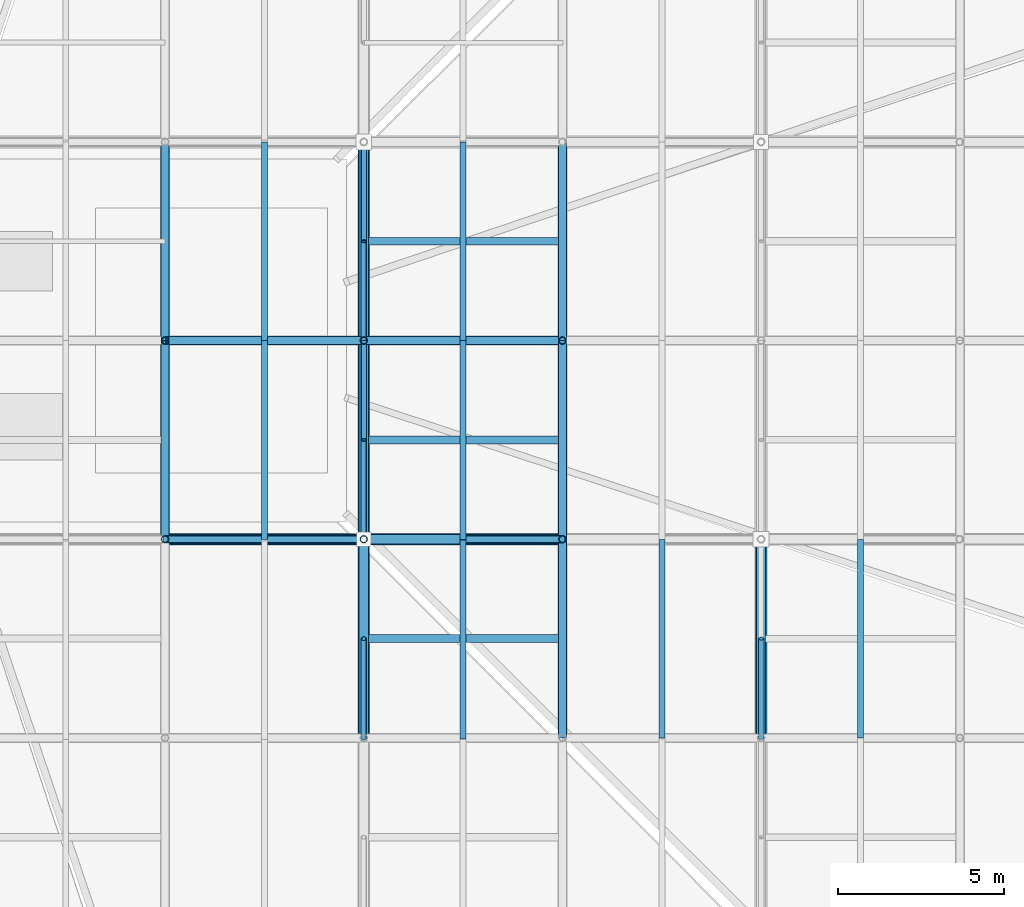
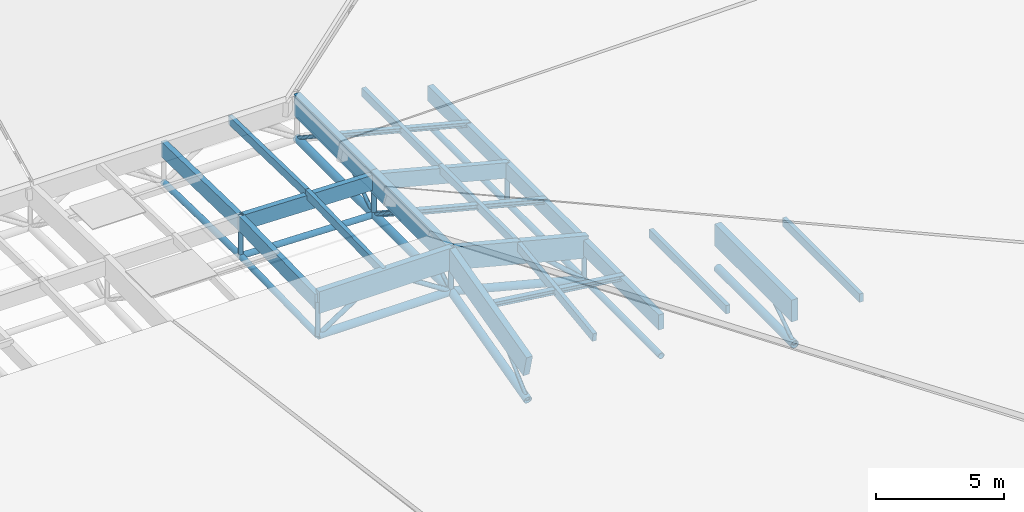
# One storey, part 36 of 80: 51 members.
"""IFC4 building model written with IfcOpenShell, lengths in metres."""

from ifc_helpers import new_model, si_unit, direction, frame, origin, origin_2d, place, context, subcontext, project, spatial, rectangle, hollow_circle, i_section, extrude, material, material_profile, profile_set, type_object, element, save


model = new_model("IFC4")

# Units and contexts
model_context = context("Model", 3, precision=1e-05, world=origin(), true_north=direction((0.0, 1.0)))
body_context = subcontext(model_context, "Body", "Model", "MODEL_VIEW")
ifc_project = project(units=[si_unit("LENGTHUNIT", "METRE"), si_unit("AREAUNIT", "SQUARE_METRE"), si_unit("VOLUMEUNIT", "CUBIC_METRE"), si_unit("PLANEANGLEUNIT", "RADIAN"), si_unit("MASSUNIT", "GRAM", prefix="KILO"), si_unit("THERMODYNAMICTEMPERATUREUNIT", "KELVIN"), si_unit("POWERUNIT", "WATT")], contexts=[model_context])

# Site, building, storey
site_placement = place(None, origin())
site = spatial("IfcSite", under=ifc_project, at=site_placement, CompositionType="ELEMENT")
building_placement = place(site_placement, origin())
building = spatial("IfcBuilding", under=site, at=building_placement, Name="Solmara Park Aquatics Centre", CompositionType="ELEMENT")
storey_placement = place(building_placement, frame((0.0, 0.0, 22.800048828125)))
storey = spatial("IfcBuildingStorey", under=building, at=storey_placement, Name="RF", CompositionType="ELEMENT", Elevation=22.800048828125)

# Members
ifc_material_1 = material(Name="Structural Steel S355", Category="steel")
ifc_material_profile_1 = material_profile(ifc_material_1, hollow_circle(Radius=0.084228515625, WallThickness=0.008056640625, at=origin_2d()), Name="CHS 168.3x8")
ifc_profile_set_1 = profile_set([ifc_material_profile_1], Name="Structural Steel S355")
member_type_1 = type_object("IfcMemberType", Name="STR-BRC-CHS168", PredefinedType="BRACE", material=ifc_profile_set_1)
member_1_placement = place(storey_placement, frame((72.60009765625, 30.60009765625, -6.486328125), z_axis=(0.0, 0.736437262703, 0.67650584484), x_axis=(-1.0, 0.0, 0.0)))
element("IfcMember", 1, at=member_1_placement, inside=storey, type_object=member_type_1, Name="Roof Truss Web Diagonal Y 1970", PredefinedType="BRACE", context=body_context, shape_type="SweptSolid", body=[
    extrude(hollow_circle(Radius=0.084228515625, WallThickness=0.008056640625, at=origin_2d()), origin(), (0.0, 0.0, 1.0), 4.07373046875),
])
for number, where, z_axis, x_axis, name in (
    (2, (84.60009765625, 30.60009765625, -8.0380859375), (0.0, 0.834611904619, 0.550838423377), (-1.0, 0.0, 0.0), "Roof Truss Web Diagonal Y 1971"),
    (3, (72.60009765625, 36.60009765625, -4.9345703125), (0.0, 0.834611904619, 0.550838423377), (-1.0, 0.0, 0.0), "Roof Truss Web Diagonal Y 1998"),
    (4, (72.60009765625, 42.60009765625, -4.9345703125), (0.0, -0.834611904619, 0.550838423377), (1.0, 0.0, 0.0), "Roof Truss Web Diagonal Y 1999"),
    (5, (72.60009765625, 42.60009765625, -4.9345703125), (0.0, 0.834611904619, 0.550838423377), (-1.0, 0.0, 0.0), "Roof Truss Web Diagonal Y 2027"),
    (6, (72.60009765625, 48.60009765625, -4.9345703125), (0.0, -0.834611904619, 0.550838423377), (1.0, 0.0, 0.0), "Roof Truss Web Diagonal Y 2028"),
):
    element("IfcMember", number, at=place(storey_placement, frame(where, z_axis=z_axis, x_axis=x_axis)), inside=storey, type_object=member_type_1, Name=name, PredefinedType="BRACE", context=body_context, shape_type="SweptSolid", body=[
        extrude(hollow_circle(Radius=0.084228515625, WallThickness=0.008056640625, at=origin_2d()), origin(), (0.0, 0.0, 1.0), 3.594482421875),
    ])
ifc_material_profile_2 = material_profile(ifc_material_1, hollow_circle(Radius=0.109619140625, WallThickness=0.010009765625, at=origin_2d()), Name="CHS 219.1x10")
ifc_profile_set_2 = profile_set([ifc_material_profile_2], Name="Structural Steel S355")
member_type_2 = type_object("IfcMemberType", Name="STR-BRC-CHS219", PredefinedType="BRACE", material=ifc_profile_set_2)
for number, where, z_axis, x_axis, name in (
    (7, (66.60009765625, 36.60009765625, -4.9345703125), (0.83972779743, 0.0, 0.543007574738), (0.0, 1.0, 0.0), "Roof Truss Web Diagonal X 1673"),
    (8, (72.60009765625, 36.60009765625, -4.9345703125), (-0.83972779743, 0.0, 0.543007574738), (0.0, -1.0, 0.0), "Roof Truss Web Diagonal X 1674"),
):
    element("IfcMember", number, at=place(storey_placement, frame(where, z_axis=z_axis, x_axis=x_axis)), inside=storey, type_object=member_type_2, Name=name, PredefinedType="BRACE", context=body_context, shape_type="SweptSolid", body=[
        extrude(hollow_circle(Radius=0.109619140625, WallThickness=0.010009765625, at=origin_2d()), origin(), (0.0, 0.0, 1.0), 3.572509765625),
    ])
member_2_placement = place(storey_placement, frame((78.60009765625, 36.60009765625, -6.486328125), z_axis=(-0.741347083846, 0.0, 0.671121822974), x_axis=(0.0, -1.0, 0.0)))
element("IfcMember", 9, at=member_2_placement, inside=storey, type_object=member_type_2, Name="Roof Truss Web Diagonal X 1703", PredefinedType="BRACE", context=body_context, shape_type="SweptSolid", body=[
    extrude(hollow_circle(Radius=0.109619140625, WallThickness=0.010009765625, at=origin_2d()), origin(), (0.0, 0.0, 1.0), 4.046630859375),
])
ifc_material_profile_3 = material_profile(ifc_material_1, hollow_circle(Radius=0.136474609375, WallThickness=0.012451171875, at=origin_2d()), Name="CHS 273x12.5")
ifc_profile_set_3 = profile_set([ifc_material_profile_3], Name="Structural Steel S355")
member_type_3 = type_object("IfcMemberType", Name="STR-CHD-CHS273", PredefinedType="CHORD", material=ifc_profile_set_3)
member_3_placement = place(storey_placement, frame((66.60009765625, 42.60009765625, -4.800048828125), z_axis=(0.999748760967, 0.0, -0.022414614555), x_axis=(0.0, 1.0, 0.0)))
element("IfcMember", 10, at=member_3_placement, inside=storey, type_object=member_type_3, Name="Steel Roof Truss Bottom Chord X 0276", PredefinedType="CHORD", context=body_context, shape_type="SweptSolid", body=[
    extrude(hollow_circle(Radius=0.136474609375, WallThickness=0.012451171875, at=origin_2d()), origin(), (0.0, 0.0, 1.0), 6.00146484375),
])
member_4_placement = place(storey_placement, frame((72.60009765625, 42.60009765625, -4.9345703125), z_axis=(0.968145594442, 0.0, -0.250387914969), x_axis=(0.0, 1.0, 0.0)))
element("IfcMember", 11, at=member_4_placement, inside=storey, type_object=member_type_3, Name="Steel Roof Truss Bottom Chord X 0278", PredefinedType="CHORD", context=body_context, shape_type="SweptSolid", body=[
    extrude(hollow_circle(Radius=0.136474609375, WallThickness=0.012451171875, at=origin_2d()), origin(), (0.0, 0.0, 1.0), 6.197509765625),
])
for number, where, z_axis, x_axis, name in (
    (12, (66.60009765625, 36.60009765625, -4.9345703125), (0.0, 0.999748760967, 0.022414614555), (-1.0, 0.0, 0.0), "Steel Roof Truss Bottom Chord Y 0862"),
    (13, (66.60009765625, 42.60009765625, -4.800048828125), (0.0, 0.999748760967, -0.022414614555), (-1.0, 0.0, 0.0), "Steel Roof Truss Bottom Chord Y 0864"),
):
    element("IfcMember", number, at=place(storey_placement, frame(where, z_axis=z_axis, x_axis=x_axis)), inside=storey, type_object=member_type_3, Name=name, PredefinedType="CHORD", context=body_context, shape_type="SweptSolid", body=[
        extrude(hollow_circle(Radius=0.136474609375, WallThickness=0.012451171875, at=origin_2d()), origin(), (0.0, 0.0, 1.0), 6.00146484375),
    ])
for number, where, z_axis, x_axis, name in (
    (14, (78.60009765625, 30.60009765625, -6.486328125), (0.0, 1.0, 0.0), (-1.0, 0.0, 0.0), "Steel Roof Truss Bottom Chord Y 0916"),
    (15, (78.60009765625, 36.60009765625, -6.486328125), (0.0, 1.0, 0.0), (-1.0, 0.0, 0.0), "Steel Roof Truss Bottom Chord Y 0918"),
    (16, (78.60009765625, 42.60009765625, -6.486328125), (0.0, 1.0, 0.0), (-1.0, 0.0, 0.0), "Steel Roof Truss Bottom Chord Y 0920"),
):
    element("IfcMember", number, at=place(storey_placement, frame(where, z_axis=z_axis, x_axis=x_axis)), inside=storey, type_object=member_type_3, Name=name, PredefinedType="CHORD", context=body_context, shape_type="SweptSolid", body=[
        extrude(hollow_circle(Radius=0.136474609375, WallThickness=0.012451171875, at=origin_2d()), origin(), (0.0, 0.0, 1.0), 6.0),
    ])
ifc_material_profile_4 = material_profile(ifc_material_1, hollow_circle(Radius=0.177734375, WallThickness=0.01611328125, at=origin_2d()), Name="CHS 355.6x16")
ifc_profile_set_4 = profile_set([ifc_material_profile_4], Name="Structural Steel S355")
member_type_4 = type_object("IfcMemberType", Name="STR-CHD-CHS355", PredefinedType="CHORD", material=ifc_profile_set_4)
member_5_placement = place(storey_placement, frame((66.60009765625, 36.60009765625, -4.9345703125), z_axis=(1.0, 0.0, 0.0), x_axis=(0.0, 1.0, 0.0)))
element("IfcMember", 17, at=member_5_placement, inside=storey, type_object=member_type_4, Name="Steel Roof Truss Bottom Chord X 0240", PredefinedType="CHORD", context=body_context, shape_type="SweptSolid", body=[
    extrude(hollow_circle(Radius=0.177734375, WallThickness=0.01611328125, at=origin_2d()), origin(), (0.0, 0.0, 1.0), 6.0),
])
for number, where, z_axis, x_axis, name in (
    (18, (72.60009765625, 36.60009765625, -4.9345703125), (0.968145594442, 0.0, -0.250387914969), (0.0, 1.0, 0.0), "Steel Roof Truss Bottom Chord X 0242"),
    (19, (72.60009765625, 30.60009765625, -6.486328125), (0.0, 0.968145594442, 0.250387914969), (-1.0, 0.0, 0.0), "Steel Roof Truss Bottom Chord Y 0888"),
):
    element("IfcMember", number, at=place(storey_placement, frame(where, z_axis=z_axis, x_axis=x_axis)), inside=storey, type_object=member_type_4, Name=name, PredefinedType="CHORD", context=body_context, shape_type="SweptSolid", body=[
        extrude(hollow_circle(Radius=0.177734375, WallThickness=0.01611328125, at=origin_2d()), origin(), (0.0, 0.0, 1.0), 6.197509765625),
    ])
for number, where, z_axis, x_axis, name in (
    (20, (72.60009765625, 36.60009765625, -4.9345703125), (0.0, 1.0, 0.0), (-1.0, 0.0, 0.0), "Steel Roof Truss Bottom Chord Y 0890"),
    (21, (72.60009765625, 42.60009765625, -4.9345703125), (0.0, 1.0, 0.0), (-1.0, 0.0, 0.0), "Steel Roof Truss Bottom Chord Y 0892"),
    (22, (84.60009765625, 30.60009765625, -8.0380859375), (0.0, 1.0, 0.0), (-1.0, 0.0, 0.0), "Steel Roof Truss Bottom Chord Y 0944"),
):
    element("IfcMember", number, at=place(storey_placement, frame(where, z_axis=z_axis, x_axis=x_axis)), inside=storey, type_object=member_type_4, Name=name, PredefinedType="CHORD", context=body_context, shape_type="SweptSolid", body=[
        extrude(hollow_circle(Radius=0.177734375, WallThickness=0.01611328125, at=origin_2d()), origin(), (0.0, 0.0, 1.0), 6.0),
    ])
ifc_material_2 = material(Name="Glulam Timber GL28h", Category="wood")
ifc_material_profile_5 = material_profile(ifc_material_2, rectangle(XDim=0.239990234375, YDim=0.719970703125, at=origin_2d()), Name="GL28h 240x720")
ifc_profile_set_5 = profile_set([ifc_material_profile_5], Name="Glulam Timber GL28h")
member_type_5 = type_object("IfcMemberType", Name="STR-CHD-GL240x720", PredefinedType="CHORD", material=ifc_profile_set_5)
member_6_placement = place(storey_placement, frame((66.60009765625, 42.60009765625, -3.179931640625), z_axis=(0.999747848546, 0.0, -0.022455273942), x_axis=(0.0, 1.0, 0.0)))
element("IfcMember", 23, at=member_6_placement, inside=storey, type_object=member_type_5, Name="Glulam Roof Truss Top Chord X 0275", PredefinedType="CHORD", context=body_context, shape_type="SweptSolid", body=[
    extrude(rectangle(XDim=0.239990234375, YDim=0.719970703125, at=origin_2d()), origin(), (0.0, 0.0, 1.0), 6.00146484375),
])
member_7_placement = place(storey_placement, frame((72.60009765625, 42.60009765625, -3.314697265625), z_axis=(0.968145594442, 0.0, -0.250387914969), x_axis=(0.0, 1.0, 0.0)))
element("IfcMember", 24, at=member_7_placement, inside=storey, type_object=member_type_5, Name="Glulam Roof Truss Top Chord X 0277", PredefinedType="CHORD", context=body_context, shape_type="SweptSolid", body=[
    extrude(rectangle(XDim=0.239990234375, YDim=0.719970703125, at=origin_2d()), origin(), (0.0, 0.0, 1.0), 6.197509765625),
])
for number, where, z_axis, x_axis, name in (
    (25, (66.60009765625, 36.60009765625, -3.314697265625), (0.0, 0.999747848546, 0.022455273942), (-1.0, 0.0, 0.0), "Glulam Roof Truss Top Chord Y 0861"),
    (26, (66.60009765625, 42.60009765625, -3.179931640625), (0.0, 0.999747848546, -0.022455273942), (-1.0, 0.0, 0.0), "Glulam Roof Truss Top Chord Y 0863"),
):
    element("IfcMember", number, at=place(storey_placement, frame(where, z_axis=z_axis, x_axis=x_axis)), inside=storey, type_object=member_type_5, Name=name, PredefinedType="CHORD", context=body_context, shape_type="SweptSolid", body=[
        extrude(rectangle(XDim=0.239990234375, YDim=0.719970703125, at=origin_2d()), origin(), (0.0, 0.0, 1.0), 6.00146484375),
    ])
for number, where, z_axis, x_axis, name in (
    (27, (78.60009765625, 30.60009765625, -4.866455078125), (0.0, 1.0, 0.0), (-1.0, 0.0, 0.0), "Glulam Roof Truss Top Chord Y 0915"),
    (28, (78.60009765625, 36.60009765625, -4.866455078125), (0.0, 1.0, 0.0), (-1.0, 0.0, 0.0), "Glulam Roof Truss Top Chord Y 0917"),
    (29, (78.60009765625, 42.60009765625, -4.866455078125), (0.0, 1.0, 0.0), (-1.0, 0.0, 0.0), "Glulam Roof Truss Top Chord Y 0919"),
):
    element("IfcMember", number, at=place(storey_placement, frame(where, z_axis=z_axis, x_axis=x_axis)), inside=storey, type_object=member_type_5, Name=name, PredefinedType="CHORD", context=body_context, shape_type="SweptSolid", body=[
        extrude(rectangle(XDim=0.239990234375, YDim=0.719970703125, at=origin_2d()), origin(), (0.0, 0.0, 1.0), 6.0),
    ])
ifc_material_profile_6 = material_profile(ifc_material_2, rectangle(XDim=0.280029296875, YDim=1.0400390625, at=origin_2d()), Name="GL28h 280x1040")
ifc_profile_set_6 = profile_set([ifc_material_profile_6], Name="Glulam Timber GL28h")
member_type_6 = type_object("IfcMemberType", Name="STR-CHD-GL280x1040", PredefinedType="CHORD", material=ifc_profile_set_6)
member_8_placement = place(storey_placement, frame((66.60009765625, 36.60009765625, -3.314697265625), z_axis=(1.0, 0.0, 0.0), x_axis=(0.0, 1.0, 0.0)))
element("IfcMember", 30, at=member_8_placement, inside=storey, type_object=member_type_6, Name="Glulam Roof Truss Top Chord X 0239", PredefinedType="CHORD", context=body_context, shape_type="SweptSolid", body=[
    extrude(rectangle(XDim=0.280029296875, YDim=1.0400390625, at=origin_2d()), origin(), (0.0, 0.0, 1.0), 6.0),
])
for number, where, z_axis, x_axis, name in (
    (31, (72.60009765625, 36.60009765625, -3.314697265625), (0.968145594442, 0.0, -0.250387914969), (0.0, 1.0, 0.0), "Glulam Roof Truss Top Chord X 0241"),
    (32, (72.60009765625, 30.60009765625, -4.866455078125), (0.0, 0.968145594442, 0.250387914969), (-1.0, 0.0, 0.0), "Glulam Roof Truss Top Chord Y 0887"),
):
    element("IfcMember", number, at=place(storey_placement, frame(where, z_axis=z_axis, x_axis=x_axis)), inside=storey, type_object=member_type_6, Name=name, PredefinedType="CHORD", context=body_context, shape_type="SweptSolid", body=[
        extrude(rectangle(XDim=0.280029296875, YDim=1.0400390625, at=origin_2d()), origin(), (0.0, 0.0, 1.0), 6.197509765625),
    ])
for number, where, z_axis, x_axis, name in (
    (33, (72.60009765625, 36.60009765625, -3.314697265625), (0.0, 1.0, 0.0), (-1.0, 0.0, 0.0), "Glulam Roof Truss Top Chord Y 0889"),
    (34, (72.60009765625, 42.60009765625, -3.314697265625), (0.0, 1.0, 0.0), (-1.0, 0.0, 0.0), "Glulam Roof Truss Top Chord Y 0891"),
    (35, (84.60009765625, 30.60009765625, -6.41796875), (0.0, 1.0, 0.0), (-1.0, 0.0, 0.0), "Glulam Roof Truss Top Chord Y 0943"),
):
    element("IfcMember", number, at=place(storey_placement, frame(where, z_axis=z_axis, x_axis=x_axis)), inside=storey, type_object=member_type_6, Name=name, PredefinedType="CHORD", context=body_context, shape_type="SweptSolid", body=[
        extrude(rectangle(XDim=0.280029296875, YDim=1.0400390625, at=origin_2d()), origin(), (0.0, 0.0, 1.0), 6.0),
    ])
ifc_material_profile_7 = material_profile(ifc_material_2, rectangle(XDim=0.179931640625, YDim=0.39990234375, at=origin_2d()), Name="GL28h 180x400")
ifc_profile_set_7 = profile_set([ifc_material_profile_7], Name="Glulam Timber GL28h")
member_type_7 = type_object("IfcMemberType", Name="STR-PRL-GL180x400", PredefinedType="PURLIN", material=ifc_profile_set_7)
for number, where, z_axis, x_axis, name in (
    (36, (69.60009765625, 36.60009765625, -2.99462890625), (0.0, 0.999748760967, 0.022414614555), (-1.0, 0.0, 0.0), "Glulam Roof Purlin 1659"),
    (37, (69.60009765625, 42.60009765625, -2.860107421875), (0.0, 0.999748760967, -0.022414614555), (-1.0, 0.0, 0.0), "Glulam Roof Purlin 1660"),
):
    element("IfcMember", number, at=place(storey_placement, frame(where, z_axis=z_axis, x_axis=x_axis)), inside=storey, type_object=member_type_7, Name=name, PredefinedType="PURLIN", context=body_context, shape_type="SweptSolid", body=[
        extrude(rectangle(XDim=0.179931640625, YDim=0.39990234375, at=origin_2d()), origin(), (0.0, 0.0, 1.0), 6.00146484375),
    ])
member_9_placement = place(storey_placement, frame((75.60009765625, 30.60009765625, -4.54638671875), z_axis=(0.0, 0.991742472473, 0.128245344137), x_axis=(-1.0, 0.0, 0.0)))
element("IfcMember", 38, at=member_9_placement, inside=storey, type_object=member_type_7, Name="Glulam Roof Purlin 1688", PredefinedType="PURLIN", context=body_context, shape_type="SweptSolid", body=[
    extrude(rectangle(XDim=0.179931640625, YDim=0.39990234375, at=origin_2d()), origin(), (0.0, 0.0, 1.0), 6.050048828125),
])
for number, where, z_axis, x_axis, name in (
    (39, (75.60009765625, 36.60009765625, -3.7705078125), (0.0, 1.0, 0.0), (-1.0, 0.0, 0.0), "Glulam Roof Purlin 1689"),
    (40, (75.60009765625, 42.60009765625, -3.7705078125), (0.0, 1.0, 0.0), (-1.0, 0.0, 0.0), "Glulam Roof Purlin 1690"),
    (41, (81.60009765625, 30.60009765625, -5.322265625), (0.0, 1.0, 0.0), (-1.0, 0.0, 0.0), "Glulam Roof Purlin 1716"),
    (42, (87.60009765625, 30.60009765625, -6.8740234375), (0.0, 1.0, 0.0), (-1.0, 0.0, 0.0), "Glulam Roof Purlin 1744"),
):
    element("IfcMember", number, at=place(storey_placement, frame(where, z_axis=z_axis, x_axis=x_axis)), inside=storey, type_object=member_type_7, Name=name, PredefinedType="PURLIN", context=body_context, shape_type="SweptSolid", body=[
        extrude(rectangle(XDim=0.179931640625, YDim=0.39990234375, at=origin_2d()), origin(), (0.0, 0.0, 1.0), 6.0),
    ])
ifc_material_profile_8 = material_profile(ifc_material_1, i_section(OverallWidth=0.219970703125, OverallDepth=0.2099609375, WebThickness=0.007080078125, FlangeThickness=0.010986328125, FilletRadius=0.01806640625, at=origin_2d()), Name="HEA 220")
ifc_profile_set_8 = profile_set([ifc_material_profile_8], Name="Structural Steel S355")
member_type_8 = type_object("IfcMemberType", Name="STR-PRL-HEA220", PredefinedType="PURLIN", material=ifc_profile_set_8)
member_10_placement = place(storey_placement, frame((72.60009765625, 45.60009765625, -2.974609375), z_axis=(0.968145594442, 0.0, -0.250387914969), x_axis=(0.0, 1.0, 0.0)))
element("IfcMember", 43, at=member_10_placement, inside=storey, type_object=member_type_8, Name="Glulam Secondary Roof Purlin 2012", PredefinedType="PURLIN", context=body_context, shape_type="SweptSolid", body=[
    extrude(i_section(OverallWidth=0.219970703125, OverallDepth=0.2099609375, WebThickness=0.007080078125, FlangeThickness=0.010986328125, FilletRadius=0.01806640625, at=origin_2d()), origin(), (0.0, 0.0, 1.0), 6.197509765625),
])
ifc_material_profile_9 = material_profile(ifc_material_1, i_section(OverallWidth=0.239990234375, OverallDepth=0.22998046875, WebThickness=0.007568359375, FlangeThickness=0.011962890625, FilletRadius=0.02099609375, at=origin_2d()), Name="HEA 240")
ifc_profile_set_9 = profile_set([ifc_material_profile_9], Name="Structural Steel S355")
member_type_9 = type_object("IfcMemberType", Name="STR-PRL-HEA240", PredefinedType="PURLIN", material=ifc_profile_set_9)
member_11_placement = place(storey_placement, frame((72.60009765625, 33.60009765625, -3.75048828125), z_axis=(0.991742472473, 0.0, -0.128245344137), x_axis=(0.0, 1.0, 0.0)))
element("IfcMember", 44, at=member_11_placement, inside=storey, type_object=member_type_9, Name="Glulam Secondary Roof Purlin 1958", PredefinedType="PURLIN", context=body_context, shape_type="SweptSolid", body=[
    extrude(i_section(OverallWidth=0.239990234375, OverallDepth=0.22998046875, WebThickness=0.007568359375, FlangeThickness=0.011962890625, FilletRadius=0.02099609375, at=origin_2d()), origin(), (0.0, 0.0, 1.0), 6.050048828125),
])
member_12_placement = place(storey_placement, frame((72.60009765625, 39.60009765625, -2.974609375), z_axis=(0.968145594442, 0.0, -0.250387914969), x_axis=(0.0, 1.0, 0.0)))
element("IfcMember", 45, at=member_12_placement, inside=storey, type_object=member_type_9, Name="Glulam Secondary Roof Purlin 1983", PredefinedType="PURLIN", context=body_context, shape_type="SweptSolid", body=[
    extrude(i_section(OverallWidth=0.239990234375, OverallDepth=0.22998046875, WebThickness=0.007568359375, FlangeThickness=0.011962890625, FilletRadius=0.02099609375, at=origin_2d()), origin(), (0.0, 0.0, 1.0), 6.197509765625),
])
ifc_material_profile_10 = material_profile(ifc_material_1, hollow_circle(Radius=0.109619140625, WallThickness=0.010009765625, at=origin_2d()), Name="CHS 219.1x10")
ifc_profile_set_10 = profile_set([ifc_material_profile_10], Name="Structural Steel S355")
member_type_10 = type_object("IfcMemberType", Name="STR-PST-CHS219", PredefinedType="POST", material=ifc_profile_set_10)
member_13_placement = place(storey_placement, frame((66.60009765625, 36.60009765625, -4.9345703125), z_axis=(0.0, 0.0, 1.0), x_axis=(1.0, 0.0, 0.0)))
element("IfcMember", 46, at=member_13_placement, inside=storey, type_object=member_type_10, Name="Roof Truss Web Post 1237", PredefinedType="POST", context=body_context, shape_type="SweptSolid", body=[
    extrude(hollow_circle(Radius=0.109619140625, WallThickness=0.010009765625, at=origin_2d()), origin(), (0.0, 0.0, 1.0), 1.619873046875),
])
member_14_placement = place(storey_placement, frame((66.60009765625, 42.60009765625, -4.800048828125), z_axis=(0.0, 0.0, 1.0), x_axis=(1.0, 0.0, 0.0)))
element("IfcMember", 47, at=member_14_placement, inside=storey, type_object=member_type_10, Name="Roof Truss Web Post 1238", PredefinedType="POST", context=body_context, shape_type="SweptSolid", body=[
    extrude(hollow_circle(Radius=0.109619140625, WallThickness=0.010009765625, at=origin_2d()), origin(), (0.0, 0.0, 1.0), 1.6201171875),
])
for number, where, z_axis, x_axis, name in (
    (48, (72.60009765625, 36.60009765625, -4.9345703125), (0.0, 0.0, 1.0), (1.0, 0.0, 0.0), "Roof Truss Web Post 1252"),
    (49, (72.60009765625, 42.60009765625, -4.9345703125), (0.0, 0.0, 1.0), (1.0, 0.0, 0.0), "Roof Truss Web Post 1253"),
    (50, (78.60009765625, 36.60009765625, -6.486328125), (0.0, 0.0, 1.0), (1.0, 0.0, 0.0), "Roof Truss Web Post 1267"),
    (51, (78.60009765625, 42.60009765625, -6.486328125), (0.0, 0.0, 1.0), (1.0, 0.0, 0.0), "Roof Truss Web Post 1268"),
):
    element("IfcMember", number, at=place(storey_placement, frame(where, z_axis=z_axis, x_axis=x_axis)), inside=storey, type_object=member_type_10, Name=name, PredefinedType="POST", context=body_context, shape_type="SweptSolid", body=[
        extrude(hollow_circle(Radius=0.109619140625, WallThickness=0.010009765625, at=origin_2d()), origin(), (0.0, 0.0, 1.0), 1.619873046875),
    ])

save(model, "model.ifc")
